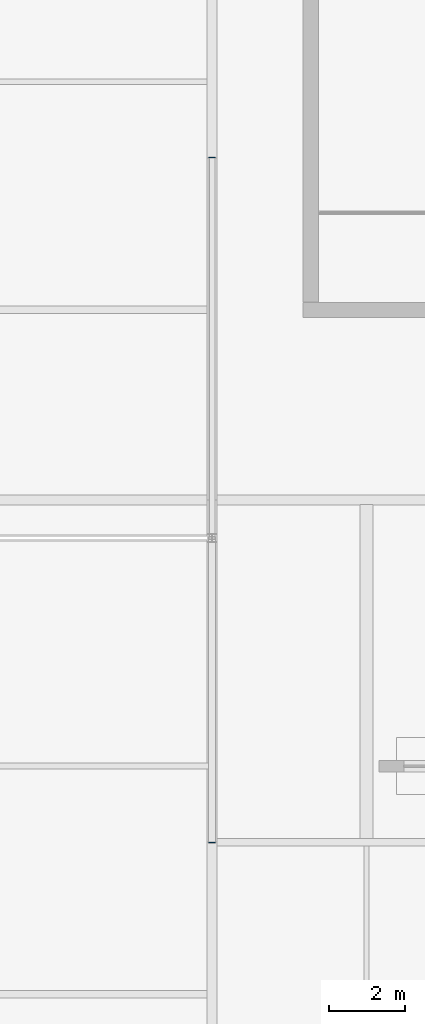
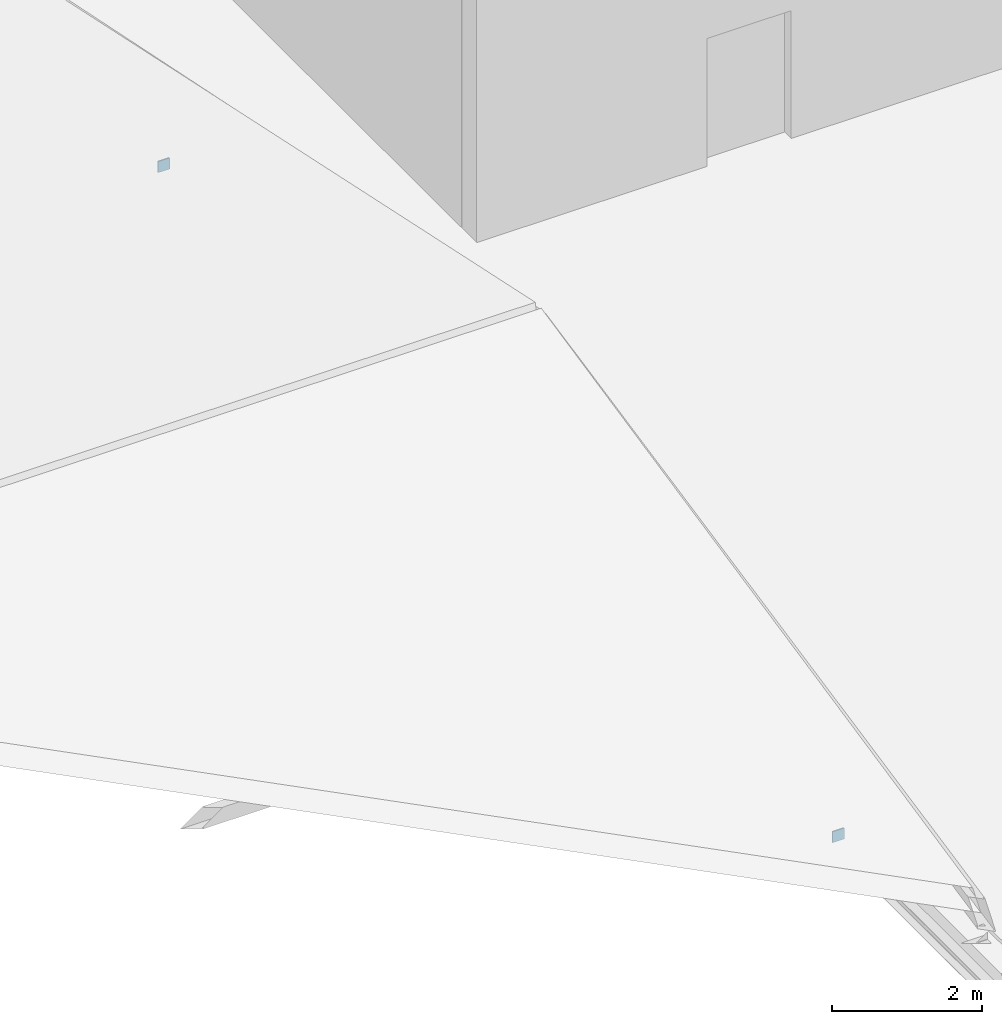
# One storey, part 72 of 85: 2 plates.
"""IFC4 building model written with IfcOpenShell, lengths in metres."""

from ifc_helpers import new_model, si_unit, derived_unit, direction, frame, origin, origin_2d, place, context, subcontext, project, spatial, rectangle, extrude, material, layer, layer_set, type_object, element, save


model = new_model("IFC4")

# Units and contexts
model_context = context("Model", 3, precision=1e-05, world=origin(), true_north=direction((0.0, 1.0)))
body_context = subcontext(model_context, "Body", "Model", "MODEL_VIEW")
ifc_project = project(units=[si_unit("LENGTHUNIT", "METRE"), si_unit("AREAUNIT", "SQUARE_METRE"), si_unit("VOLUMEUNIT", "CUBIC_METRE"), si_unit("PLANEANGLEUNIT", "RADIAN"), si_unit("MASSUNIT", "GRAM", prefix="KILO"), derived_unit("THERMALTRANSMITTANCEUNIT", [(si_unit("POWERUNIT", "WATT"), 1), (si_unit("LENGTHUNIT", "METRE"), -2), (si_unit("THERMODYNAMICTEMPERATUREUNIT", "KELVIN"), -1)])], contexts=[model_context])

# Site, building, storey
site_placement = place(None, origin())
site = spatial("IfcSite", under=ifc_project, at=site_placement, CompositionType="ELEMENT")
building_placement = place(site_placement, origin())
building = spatial("IfcBuilding", under=site, at=building_placement, Name="Nallur Shell Playhouse", CompositionType="ELEMENT")
storey_placement = place(building_placement, frame((0.0, 0.0, 19.800048828125)))
storey = spatial("IfcBuildingStorey", under=building, at=storey_placement, Name="L05", CompositionType="ELEMENT", Elevation=19.800048828125)

# Plates
ifc_material = material(Name="Steel E350", Category="steel")
ifc_layer = layer(ifc_material, 0.02001953125)
ifc_layer_set = layer_set([ifc_layer], Name="Steel E350")
plate_type = type_object("IfcPlateType", Name="PT-ENDCAP-20", PredefinedType="SHEET", material=ifc_layer_set)
for number, where, z_axis, x_axis, name in (
    (1, (147.60009765625, 31.989990234375, -0.47119140625), (0.0, 0.0, 1.0), (1.0, 0.0, 0.0), "Hollow end cap EC-TRST-1476-1"),
    (2, (147.60009765625, 50.010009765625, -0.47119140625), (0.0, 0.0, 1.0), (1.0, 0.0, 0.0), "Hollow end cap EC-TRST-1476-2"),
):
    element("IfcPlate", number, at=place(storey_placement, frame(where, z_axis=z_axis, x_axis=x_axis)), inside=storey, type_object=plate_type, Name=name, PredefinedType="SHEET", context=body_context, shape_type="SweptSolid", body=[
        extrude(rectangle(XDim=0.179931640625, YDim=0.02001953125, at=origin_2d()), origin(), (0.0, 0.0, 1.0), 0.179931640625),
    ])

save(model, "model.ifc")
